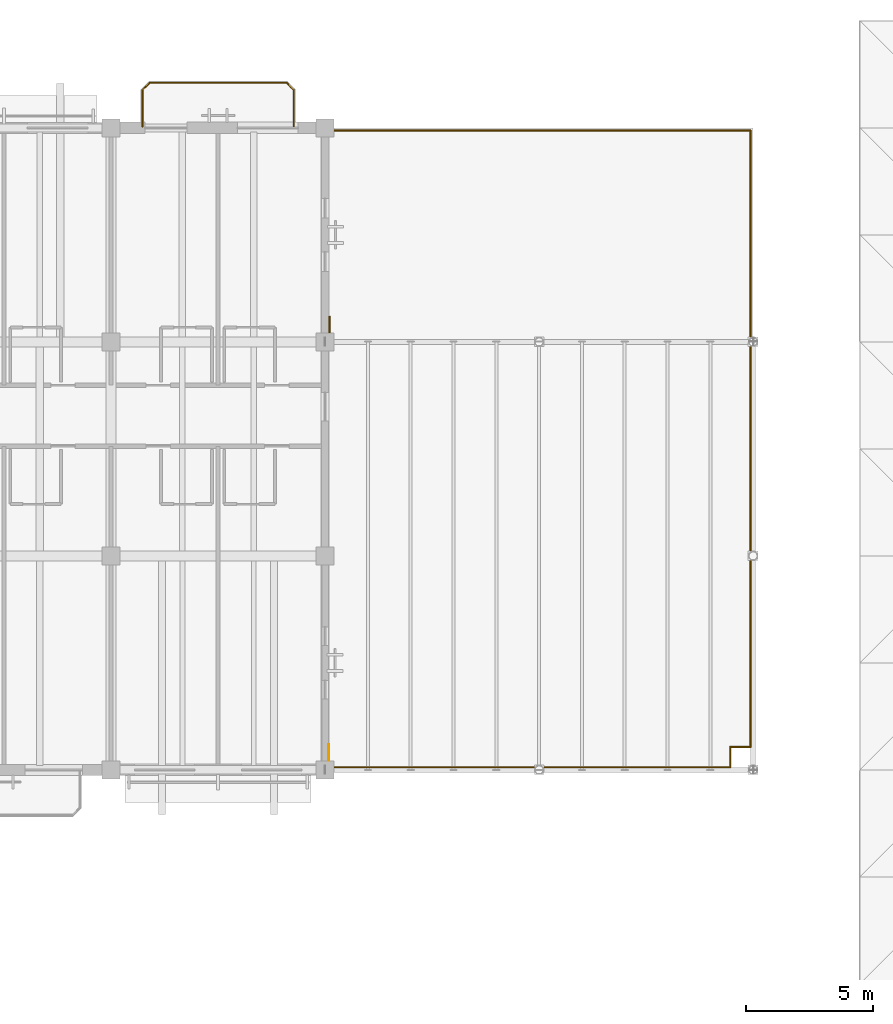
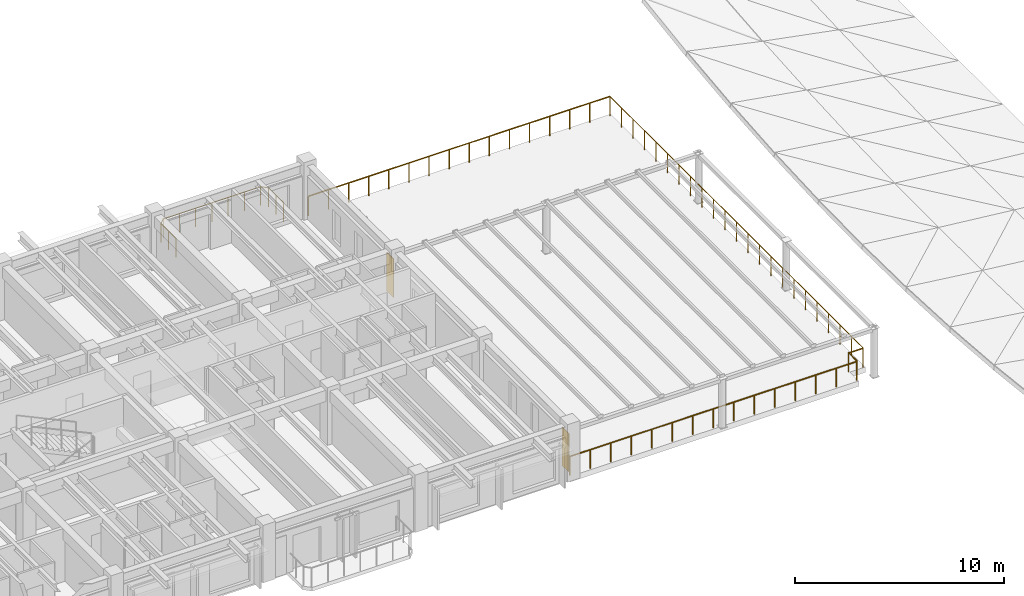
# One storey, part 93 of 93: 6 railings, 2 coverings.
"""IFC4 building model written with IfcOpenShell, lengths in metres."""

import ifcopenshell
import ifcopenshell.guid

model = None  # the IFC model being written
_history = None  # IfcOwnerHistory: only IFC2X3 demands one
_inside = {}  # id of a spatial element -> (the spatial element, [elements in it])
_under = {}  # id of a project, library or spatial element -> (it, [spatial elements below it])
_declared = {}  # id of a project -> (the project, [libraries it declares])
_typed = {}  # id of a type object -> (the type object, [elements of that type])
_made_of = {}  # id of a material, layer set ... -> (it, [elements and type objects made of it])


def new_model(schema):
    """Start an empty IFC model of exactly this schema.

    Asked for "IFC4X3", IfcOpenShell would pick the latest addendum, in which some entities
    have other attributes; the version numbers below select the first issue.
    IFC2X3 requires an IfcOwnerHistory on every rooted entity: one is made here for all.
    """
    global model, _history
    if schema == "IFC4X3":
        model = ifcopenshell.file(schema_version=(4, 3, 0, 0))
    else:
        model = ifcopenshell.file(schema=schema)
    _inside.clear()
    _under.clear()
    _declared.clear()
    _typed.clear()
    _made_of.clear()
    _history = None
    if model.schema == "IFC2X3":
        org = make("IfcOrganization", Name="unknown")
        user = make(
            "IfcPersonAndOrganization",
            ThePerson=make("IfcPerson", FamilyName="unknown"),
            TheOrganization=org,
        )
        app = make(
            "IfcApplication",
            ApplicationDeveloper=org,
            Version="unknown",
            ApplicationFullName="unknown",
            ApplicationIdentifier="unknown",
        )
        _history = make(
            "IfcOwnerHistory",
            OwningUser=user,
            OwningApplication=app,
            ChangeAction="ADDED",
            CreationDate=0,
        )
    return model


def make(cls, **values):
    """One entity of the class cls with the attributes given. An attribute that is None is left unset."""
    return model.create_entity(
        cls, **{name: value for name, value in values.items() if value is not None}
    )


def rooted(cls, **values):
    """An entity with a GlobalId (a new one), such as an element, a storey or a relation."""
    return make(cls, GlobalId=ifcopenshell.guid.new(), OwnerHistory=_history, **values)


def si_unit(unit_type, name, prefix=None):
    """IfcSIUnit, for example si_unit("LENGTHUNIT", "METRE", prefix="MILLI")."""
    return make("IfcSIUnit", UnitType=unit_type, Prefix=prefix, Name=name)


def assignment(units):
    """IfcUnitAssignment: the units of a project."""
    return None if units is None else make("IfcUnitAssignment", Units=units)


def point(xyz):
    """IfcCartesianPoint."""
    return None if xyz is None else make("IfcCartesianPoint", Coordinates=xyz)


def direction(xyz):
    """IfcDirection."""
    return None if xyz is None else make("IfcDirection", DirectionRatios=xyz)


def frame(location, z_axis=None, x_axis=None):
    """IfcAxis2Placement3D, a coordinate frame: its origin and axes. An axis left out is left unset."""
    return make(
        "IfcAxis2Placement3D",
        Location=point(location),
        Axis=direction(z_axis),
        RefDirection=direction(x_axis),
    )


def frame_2d(location, x_axis=None):
    """IfcAxis2Placement2D, a coordinate frame in the plane: its origin and x axis."""
    return make(
        "IfcAxis2Placement2D", Location=point(location), RefDirection=direction(x_axis)
    )


def origin():
    """The frame at (0, 0, 0) with its axes left unset."""
    return frame((0.0, 0.0, 0.0))


def origin_2d():
    """The frame at (0, 0) in the plane with its x axis left unset."""
    return frame_2d((0.0, 0.0))


def place(relative_to, where):
    """IfcLocalPlacement: puts the frame where relative to a parent placement (None: the world)."""
    return make(
        "IfcLocalPlacement", PlacementRelTo=relative_to, RelativePlacement=where
    )


def context(
    kind, dimensions, precision=None, world=None, true_north=None, identifier=None
):
    """IfcGeometricRepresentationContext, for example the 3D "Model" context."""
    return make(
        "IfcGeometricRepresentationContext",
        ContextIdentifier=identifier,
        ContextType=kind,
        CoordinateSpaceDimension=dimensions,
        Precision=precision,
        WorldCoordinateSystem=world,
        TrueNorth=true_north,
    )


def subcontext(parent, identifier, kind, view, scale=None):
    """IfcGeometricRepresentationSubContext, for example "Body" below "Model"."""
    return make(
        "IfcGeometricRepresentationSubContext",
        ContextIdentifier=identifier,
        ContextType=kind,
        ParentContext=parent,
        TargetScale=scale,
        TargetView=view,
    )


def project(units=None, contexts=None):
    """IfcProject with its units and contexts."""
    return rooted(
        "IfcProject",
        Name="project",
        RepresentationContexts=contexts,
        UnitsInContext=assignment(units),
    )


def spatial(cls, under=None, at=None, **own):
    """A site, building, storey or space (cls), placed at a placement, below another one or the project."""
    s = rooted(cls, ObjectPlacement=at, **own)
    if under is not None:
        _under.setdefault(under.id(), (under, []))[1].append(s)
    return s


def polyline(points):
    """IfcPolyline through the points."""
    return make("IfcPolyline", Points=[point(p) for p in points])


def profile(cls, at=None, kind="AREA", **sizes):
    """A parametric profile (cls). Its sizes go by their IFC names, for example OverallWidth=200.0."""
    return make(cls, ProfileType=kind, Position=at, **sizes)


def circle(**sizes):
    """IfcCircleProfileDef."""
    return profile("IfcCircleProfileDef", **sizes)


def outline(outer, holes=None, kind="AREA"):
    """IfcArbitraryClosedProfileDef: a profile drawn as a closed curve; with holes, ...WithVoids."""
    if holes is None:
        return make("IfcArbitraryClosedProfileDef", ProfileType=kind, OuterCurve=outer)
    return make(
        "IfcArbitraryProfileDefWithVoids",
        ProfileType=kind,
        OuterCurve=outer,
        InnerCurves=holes,
    )


def extrude(swept, where, along, depth):
    """IfcExtrudedAreaSolid: the profile swept, set in the frame where, extruded along a direction by depth."""
    return make(
        "IfcExtrudedAreaSolid",
        SweptArea=swept,
        Position=where,
        ExtrudedDirection=direction(along),
        Depth=depth,
    )


def shape(context_of_items, identifier, shape_type, items):
    """IfcShapeRepresentation: the items that make up one representation, for example the "Body"."""
    return make(
        "IfcShapeRepresentation",
        ContextOfItems=context_of_items,
        RepresentationIdentifier=identifier,
        RepresentationType=shape_type,
        Items=items,
    )


def material(Name=None, Category=None):
    """IfcMaterial."""
    return make("IfcMaterial", Name=Name, Category=Category)


def layer(
    of_material, thickness, ventilated=None, Name=None, Category=None, Priority=None
):
    """IfcMaterialLayer: one layer of a wall or slab, of a material (None: an air gap)."""
    return make(
        "IfcMaterialLayer",
        Material=of_material,
        LayerThickness=thickness,
        IsVentilated=ventilated,
        Name=Name,
        Category=Category,
        Priority=Priority,
    )


def layer_set(layers, Name=None):
    """IfcMaterialLayerSet."""
    return make("IfcMaterialLayerSet", MaterialLayers=layers, LayerSetName=Name)


def made_of(thing, what):
    """Note that an element or type object is made of a material, layer set ...; save() writes the relation."""
    if what is not None:
        _made_of.setdefault(what.id(), (what, []))[1].append(thing)
    return thing


def type_object(cls, material=None, **own):
    """A type object (cls), such as IfcWallType, which elements share."""
    return made_of(rooted(cls, **own), material)


def element(
    cls,
    number,
    at=None,
    inside=None,
    cuts=None,
    type_object=None,
    material=None,
    context=None,
    identifier="Body",
    shape_type=None,
    held_by="IfcProductDefinitionShape",
    body=None,
    shapes=None,
    **own,
):
    """One element of the class cls, such as IfcWall. Its Tag is "e" and its number.

    at: its placement. inside: the storey or other place that contains it. cuts: it is an
    opening in that element (IfcRelVoidsElement). A single representation is given by context,
    identifier, shape_type and body (its items); several are given by shapes. held_by: the class
    of the entity that holds the representations. save() writes the other relations.
    """
    e = rooted(cls, Tag="e%d" % number, ObjectPlacement=at, **own)
    if body is not None:
        shapes = [shape(context, identifier, shape_type, body)]
    if shapes is not None:
        e.Representation = make(held_by, Representations=shapes)
    if inside is not None:
        _inside.setdefault(inside.id(), (inside, []))[1].append(e)
    if cuts is not None:
        rooted(
            "IfcRelVoidsElement", RelatingBuildingElement=cuts, RelatedOpeningElement=e
        )
    if type_object is not None:
        _typed.setdefault(type_object.id(), (type_object, []))[1].append(e)
    return made_of(e, material)


def aggregate(whole, parts):
    """IfcRelAggregates: a whole, such as a stair, and the parts it consists of."""
    return rooted("IfcRelAggregates", RelatingObject=whole, RelatedObjects=parts)


def save(model, path):
    """Write the relations noted so far, then the file.

    IfcRelAggregates (storeys below a building ...), IfcRelContainedInSpatialStructure (elements
    in a storey), IfcRelDefinesByType, IfcRelAssociatesMaterial and IfcRelDeclares: one each for
    every whole, place, type object, material and project.
    """
    for whole, parts in _under.values():
        aggregate(whole, parts)
    for where, things in _inside.values():
        rooted(
            "IfcRelContainedInSpatialStructure",
            RelatedElements=things,
            RelatingStructure=where,
        )
    for kind, things in _typed.values():
        rooted("IfcRelDefinesByType", RelatedObjects=things, RelatingType=kind)
    for what, things in _made_of.values():
        rooted("IfcRelAssociatesMaterial", RelatedObjects=things, RelatingMaterial=what)
    for by, libraries in _declared.values():
        rooted("IfcRelDeclares", RelatingContext=by, RelatedDefinitions=libraries)
    model.write(path)


model = new_model("IFC4")

# Units and contexts
model_context = context("Model", 3, precision=1e-05, world=origin(), true_north=direction((0.0, 1.0)))
body_context = subcontext(model_context, "Body", "Model", "MODEL_VIEW")
ifc_project = project(units=[si_unit("LENGTHUNIT", "METRE"), si_unit("AREAUNIT", "SQUARE_METRE"), si_unit("VOLUMEUNIT", "CUBIC_METRE"), si_unit("PLANEANGLEUNIT", "RADIAN"), si_unit("MASSUNIT", "GRAM", prefix="KILO")], contexts=[model_context])

# Site, building, storey
site_placement = place(None, origin())
site = spatial("IfcSite", under=ifc_project, at=site_placement, CompositionType="ELEMENT")
building_placement = place(site_placement, origin())
building = spatial("IfcBuilding", under=site, at=building_placement, Name="Cumbredor Promenade Congress Hotel", CompositionType="ELEMENT")
storey_placement = place(building_placement, frame((0.0, 0.0, 21.840087890625)))
storey = spatial("IfcBuildingStorey", under=building, at=storey_placement, Name="L06", CompositionType="ELEMENT", Elevation=21.840087890625)

# Covering
ifc_material_1 = material(Name="Precast concrete C40/50", Category="concrete")
ifc_layer_1 = layer(ifc_material_1, 0.044921875, Name="Precast concrete C40/50", Category="concrete")
ifc_layer_set_1 = layer_set([ifc_layer_1], Name="Precast concrete C40/50")
covering_type_1 = type_object("IfcCoveringType", Name="Board-Formed Architectural Cladding Panel 45mm", PredefinedType="CLADDING", material=ifc_layer_set_1)
covering_1_placement = place(storey_placement, origin())
element("IfcCovering", 1, at=covering_1_placement, inside=storey, type_object=covering_type_1, Name="L06 Facade Stone Cladding Pier 220", PredefinedType="CLADDING", context=body_context, shape_type="SweptSolid", body=[
    extrude(outline(polyline([(67.35009765625, 109.551025390625), (67.35009765625, 110.200927734375), (67.39501953125, 110.200927734375), (67.39501953125, 109.551025390625), (67.35009765625, 109.551025390625)])), origin(), (0.0, 0.0, 1.0), 2.25),
])

# Railings
ifc_material_2 = material(Name="Brushed stainless steel", Category="steel")
railing_type_1 = type_object("IfcRailingType", Name="Sky Garden Glass-and-Steel Balustrade BAL-1150", PredefinedType="BALUSTRADE", material=ifc_material_2)
railing_1_placement = place(storey_placement, frame((83.89990234375, 93.300048828125, 0.0)))
element("IfcRailing", 2, at=railing_1_placement, inside=storey, type_object=railing_type_1, Name="L06 Hotel Step 2 East Botanical Sky Terrace Balustrade 66", PredefinedType="BALUSTRADE", context=body_context, shape_type="SweptSolid", body=[
    extrude(circle(Radius=0.02392578125, at=origin_2d()), frame((0.0, 0.0, 1.1259765625), z_axis=(0.0, 1.0, 0.0), x_axis=(-1.0, 0.0, 0.0)), (0.0, 0.0, 1.0), 24.199951171875),
    extrude(circle(Radius=0.02099609375, at=origin_2d()), origin(), (0.0, 0.0, 1.0), 1.101806640625),
    extrude(circle(Radius=0.02099609375, at=origin_2d()), frame((0.0, 1.10009765625, 0.0)), (0.0, 0.0, 1.0), 1.101806640625),
    extrude(circle(Radius=0.02099609375, at=origin_2d()), frame((0.0, 2.199951171875, 0.0)), (0.0, 0.0, 1.0), 1.101806640625),
    extrude(circle(Radius=0.02099609375, at=origin_2d()), frame((0.0, 3.300048828125, 0.0)), (0.0, 0.0, 1.0), 1.101806640625),
    extrude(circle(Radius=0.02099609375, at=origin_2d()), frame((0.0, 4.39990234375, 0.0)), (0.0, 0.0, 1.0), 1.101806640625),
    extrude(circle(Radius=0.02099609375, at=origin_2d()), frame((0.0, 5.5, 0.0)), (0.0, 0.0, 1.0), 1.101806640625),
    extrude(circle(Radius=0.02099609375, at=origin_2d()), frame((0.0, 6.60009765625, 0.0)), (0.0, 0.0, 1.0), 1.101806640625),
    extrude(circle(Radius=0.02099609375, at=origin_2d()), frame((0.0, 7.699951171875, 0.0)), (0.0, 0.0, 1.0), 1.101806640625),
    extrude(circle(Radius=0.02099609375, at=origin_2d()), frame((0.0, 8.800048828125, 0.0)), (0.0, 0.0, 1.0), 1.101806640625),
    extrude(circle(Radius=0.02099609375, at=origin_2d()), frame((0.0, 9.89990234375, 0.0)), (0.0, 0.0, 1.0), 1.101806640625),
    extrude(circle(Radius=0.02099609375, at=origin_2d()), frame((0.0, 11.0, 0.0)), (0.0, 0.0, 1.0), 1.101806640625),
    extrude(circle(Radius=0.02099609375, at=origin_2d()), frame((0.0, 12.10009765625, 0.0)), (0.0, 0.0, 1.0), 1.101806640625),
    extrude(circle(Radius=0.02099609375, at=origin_2d()), frame((0.0, 13.199951171875, 0.0)), (0.0, 0.0, 1.0), 1.101806640625),
    extrude(circle(Radius=0.02099609375, at=origin_2d()), frame((0.0, 14.300048828125, 0.0)), (0.0, 0.0, 1.0), 1.101806640625),
    extrude(circle(Radius=0.02099609375, at=origin_2d()), frame((0.0, 15.39990234375, 0.0)), (0.0, 0.0, 1.0), 1.101806640625),
    extrude(circle(Radius=0.02099609375, at=origin_2d()), frame((0.0, 16.5, 0.0)), (0.0, 0.0, 1.0), 1.101806640625),
    extrude(circle(Radius=0.02099609375, at=origin_2d()), frame((0.0, 17.599853515625, 0.0)), (0.0, 0.0, 1.0), 1.101806640625),
    extrude(circle(Radius=0.02099609375, at=origin_2d()), frame((0.0, 18.699951171875, 0.0)), (0.0, 0.0, 1.0), 1.101806640625),
    extrude(circle(Radius=0.02099609375, at=origin_2d()), frame((0.0, 19.800048828125, 0.0)), (0.0, 0.0, 1.0), 1.101806640625),
    extrude(circle(Radius=0.02099609375, at=origin_2d()), frame((0.0, 20.89990234375, 0.0)), (0.0, 0.0, 1.0), 1.101806640625),
    extrude(circle(Radius=0.02099609375, at=origin_2d()), frame((0.0, 22.0, 0.0)), (0.0, 0.0, 1.0), 1.101806640625),
    extrude(circle(Radius=0.02099609375, at=origin_2d()), frame((0.0, 23.099853515625, 0.0)), (0.0, 0.0, 1.0), 1.101806640625),
    extrude(circle(Radius=0.02099609375, at=origin_2d()), frame((0.0, 24.199951171875, 0.0)), (0.0, 0.0, 1.0), 1.101806640625),
])
railing_2_placement = place(storey_placement, frame((83.10009765625, 92.5, 0.0)))
element("IfcRailing", 3, at=railing_2_placement, inside=storey, type_object=railing_type_1, Name="L06 Hotel Step 2 East Botanical Sky Terrace Balustrade 68", PredefinedType="BALUSTRADE", context=body_context, shape_type="SweptSolid", body=[
    extrude(circle(Radius=0.02392578125, at=origin_2d()), frame((0.0, 0.0, 1.1259765625), z_axis=(0.0, 1.0, 0.0), x_axis=(-1.0, 0.0, 0.0)), (0.0, 0.0, 1.0), 0.800048828125),
    extrude(circle(Radius=0.02099609375, at=origin_2d()), origin(), (0.0, 0.0, 1.0), 1.101806640625),
    extrude(circle(Radius=0.02099609375, at=origin_2d()), frame((0.0, 0.800048828125, 0.0)), (0.0, 0.0, 1.0), 1.101806640625),
])
railing_3_placement = place(storey_placement, frame((67.25, 117.5, 0.0)))
element("IfcRailing", 4, at=railing_3_placement, inside=storey, type_object=railing_type_1, Name="L06 Hotel Step 2 East Botanical Sky Terrace Balustrade 70", PredefinedType="BALUSTRADE", context=body_context, shape_type="SweptSolid", body=[
    extrude(circle(Radius=0.02392578125, at=origin_2d()), frame((0.0, 0.0, 1.1259765625), z_axis=(1.0, 0.0, 0.0), x_axis=(0.0, 1.0, 0.0)), (0.0, 0.0, 1.0), 16.64990234375),
    extrude(circle(Radius=0.02099609375, at=origin_2d()), origin(), (0.0, 0.0, 1.0), 1.101806640625),
    extrude(circle(Radius=0.02099609375, at=origin_2d()), frame((1.110107421875, 0.0, 0.0)), (0.0, 0.0, 1.0), 1.101806640625),
    extrude(circle(Radius=0.02099609375, at=origin_2d()), frame((2.219970703125, 0.0, 0.0)), (0.0, 0.0, 1.0), 1.101806640625),
    extrude(circle(Radius=0.02099609375, at=origin_2d()), frame((3.330078125, 0.0, 0.0)), (0.0, 0.0, 1.0), 1.101806640625),
    extrude(circle(Radius=0.02099609375, at=origin_2d()), frame((4.43994140625, 0.0, 0.0)), (0.0, 0.0, 1.0), 1.101806640625),
    extrude(circle(Radius=0.02099609375, at=origin_2d()), frame((5.550048828125, 0.0, 0.0)), (0.0, 0.0, 1.0), 1.101806640625),
    extrude(circle(Radius=0.02099609375, at=origin_2d()), frame((6.659912109375, 0.0, 0.0)), (0.0, 0.0, 1.0), 1.101806640625),
    extrude(circle(Radius=0.02099609375, at=origin_2d()), frame((7.77001953125, 0.0, 0.0)), (0.0, 0.0, 1.0), 1.101806640625),
    extrude(circle(Radius=0.02099609375, at=origin_2d()), frame((8.8798828125, 0.0, 0.0)), (0.0, 0.0, 1.0), 1.101806640625),
    extrude(circle(Radius=0.02099609375, at=origin_2d()), frame((9.989990234375, 0.0, 0.0)), (0.0, 0.0, 1.0), 1.101806640625),
    extrude(circle(Radius=0.02099609375, at=origin_2d()), frame((11.099853515625, 0.0, 0.0)), (0.0, 0.0, 1.0), 1.101806640625),
    extrude(circle(Radius=0.02099609375, at=origin_2d()), frame((12.2099609375, 0.0, 0.0)), (0.0, 0.0, 1.0), 1.101806640625),
    extrude(circle(Radius=0.02099609375, at=origin_2d()), frame((13.31982421875, 0.0, 0.0)), (0.0, 0.0, 1.0), 1.101806640625),
    extrude(circle(Radius=0.02099609375, at=origin_2d()), frame((14.429931640625, 0.0, 0.0)), (0.0, 0.0, 1.0), 1.101806640625),
    extrude(circle(Radius=0.02099609375, at=origin_2d()), frame((15.539794921875, 0.0, 0.0)), (0.0, 0.0, 1.0), 1.101806640625),
    extrude(circle(Radius=0.02099609375, at=origin_2d()), frame((16.64990234375, 0.0, 0.0)), (0.0, 0.0, 1.0), 1.101806640625),
])
railing_type_2 = type_object("IfcRailingType", Name="Terrace Perimeter Balustrade BAL-1120", PredefinedType="BALUSTRADE", material=ifc_material_2)
railing_4_placement = place(storey_placement, frame((60.030029296875, 117.64990234375, 0.0)))
element("IfcRailing", 5, at=railing_4_placement, inside=storey, type_object=railing_type_2, Name="L06 Veranda Balcony Balustrade 037", PredefinedType="BALUSTRADE", context=body_context, shape_type="SweptSolid", body=[
    extrude(circle(Radius=0.02392578125, at=origin_2d()), frame((0.0, 0.0, 1.09619140625), z_axis=(0.0, 1.0, 0.0), x_axis=(-1.0, 0.0, 0.0)), (0.0, 0.0, 1.0), 1.440185546875),
    extrude(circle(Radius=0.02392578125, at=origin_2d()), frame((0.0, 1.440185546875, 1.09619140625), z_axis=(0.707106781187, 0.707106781187, 0.0), x_axis=(-0.707106781187, 0.707106781187, 0.0)), (0.0, 0.0, 1.0), 0.39599609375),
    extrude(circle(Radius=0.02392578125, at=origin_2d()), frame((0.280029296875, 1.72021484375, 1.09619140625), z_axis=(1.0, 0.0, 0.0), x_axis=(0.0, 1.0, 0.0)), (0.0, 0.0, 1.0), 5.3798828125),
    extrude(circle(Radius=0.02392578125, at=origin_2d()), frame((5.659912109375, 1.72021484375, 1.09619140625), z_axis=(0.707106781187, -0.707106781187, 0.0), x_axis=(0.707106781187, 0.707106781187, 0.0)), (0.0, 0.0, 1.0), 0.39599609375),
    extrude(circle(Radius=0.02392578125, at=origin_2d()), frame((5.93994140625, 1.440185546875, 1.09619140625), z_axis=(0.0, -1.0, 0.0), x_axis=(1.0, 0.0, 0.0)), (0.0, 0.0, 1.0), 1.440185546875),
    extrude(circle(Radius=0.02099609375, at=origin_2d()), origin(), (0.0, 0.0, 1.0), 1.072021484375),
    extrude(circle(Radius=0.02099609375, at=origin_2d()), frame((0.0, 0.72021484375, 0.0)), (0.0, 0.0, 1.0), 1.072021484375),
    extrude(circle(Radius=0.02099609375, at=origin_2d()), frame((0.0, 1.440185546875, 0.0)), (0.0, 0.0, 1.0), 1.072021484375),
    extrude(circle(Radius=0.02099609375, at=origin_2d()), frame((0.280029296875, 1.72021484375, 0.0)), (0.0, 0.0, 1.0), 1.072021484375),
    extrude(circle(Radius=0.02099609375, at=origin_2d()), frame((1.1767578125, 1.72021484375, 0.0)), (0.0, 0.0, 1.0), 1.072021484375),
    extrude(circle(Radius=0.02099609375, at=origin_2d()), frame((2.0732421875, 1.72021484375, 0.0)), (0.0, 0.0, 1.0), 1.072021484375),
    extrude(circle(Radius=0.02099609375, at=origin_2d()), frame((2.969970703125, 1.72021484375, 0.0)), (0.0, 0.0, 1.0), 1.072021484375),
    extrude(circle(Radius=0.02099609375, at=origin_2d()), frame((3.86669921875, 1.72021484375, 0.0)), (0.0, 0.0, 1.0), 1.072021484375),
    extrude(circle(Radius=0.02099609375, at=origin_2d()), frame((4.76318359375, 1.72021484375, 0.0)), (0.0, 0.0, 1.0), 1.072021484375),
    extrude(circle(Radius=0.02099609375, at=origin_2d()), frame((5.659912109375, 1.72021484375, 0.0)), (0.0, 0.0, 1.0), 1.072021484375),
    extrude(circle(Radius=0.02099609375, at=origin_2d()), frame((5.93994140625, 1.440185546875, 0.0)), (0.0, 0.0, 1.0), 1.072021484375),
    extrude(circle(Radius=0.02099609375, at=origin_2d()), frame((5.93994140625, 0.72021484375, 0.0)), (0.0, 0.0, 1.0), 1.072021484375),
    extrude(circle(Radius=0.02099609375, at=origin_2d()), frame((5.93994140625, 0.0, 0.0)), (0.0, 0.0, 1.0), 1.072021484375),
])
railing_5_placement = place(storey_placement, frame((67.25, 92.5, 0.0)))
element("IfcRailing", 6, at=railing_5_placement, inside=storey, type_object=railing_type_2, Name="L06 Hotel Step 2 East Botanical Sky Terrace Balustrade 67", PredefinedType="BALUSTRADE", context=body_context, shape_type="SweptSolid", body=[
    extrude(circle(Radius=0.02392578125, at=origin_2d()), frame((0.0, 0.0, 1.09619140625), z_axis=(1.0, 0.0, 0.0), x_axis=(0.0, 1.0, 0.0)), (0.0, 0.0, 1.0), 15.85009765625),
    extrude(circle(Radius=0.02099609375, at=origin_2d()), origin(), (0.0, 0.0, 1.0), 1.072021484375),
    extrude(circle(Radius=0.02099609375, at=origin_2d()), frame((1.132080078125, 0.0, 0.0)), (0.0, 0.0, 1.0), 1.072021484375),
    extrude(circle(Radius=0.02099609375, at=origin_2d()), frame((2.264404296875, 0.0, 0.0)), (0.0, 0.0, 1.0), 1.072021484375),
    extrude(circle(Radius=0.02099609375, at=origin_2d()), frame((3.396484375, 0.0, 0.0)), (0.0, 0.0, 1.0), 1.072021484375),
    extrude(circle(Radius=0.02099609375, at=origin_2d()), frame((4.528564453125, 0.0, 0.0)), (0.0, 0.0, 1.0), 1.072021484375),
    extrude(circle(Radius=0.02099609375, at=origin_2d()), frame((5.66064453125, 0.0, 0.0)), (0.0, 0.0, 1.0), 1.072021484375),
    extrude(circle(Radius=0.02099609375, at=origin_2d()), frame((6.79296875, 0.0, 0.0)), (0.0, 0.0, 1.0), 1.072021484375),
    extrude(circle(Radius=0.02099609375, at=origin_2d()), frame((7.925048828125, 0.0, 0.0)), (0.0, 0.0, 1.0), 1.072021484375),
    extrude(circle(Radius=0.02099609375, at=origin_2d()), frame((9.05712890625, 0.0, 0.0)), (0.0, 0.0, 1.0), 1.072021484375),
    extrude(circle(Radius=0.02099609375, at=origin_2d()), frame((10.189453125, 0.0, 0.0)), (0.0, 0.0, 1.0), 1.072021484375),
    extrude(circle(Radius=0.02099609375, at=origin_2d()), frame((11.321533203125, 0.0, 0.0)), (0.0, 0.0, 1.0), 1.072021484375),
    extrude(circle(Radius=0.02099609375, at=origin_2d()), frame((12.45361328125, 0.0, 0.0)), (0.0, 0.0, 1.0), 1.072021484375),
    extrude(circle(Radius=0.02099609375, at=origin_2d()), frame((13.585693359375, 0.0, 0.0)), (0.0, 0.0, 1.0), 1.072021484375),
    extrude(circle(Radius=0.02099609375, at=origin_2d()), frame((14.718017578125, 0.0, 0.0)), (0.0, 0.0, 1.0), 1.072021484375),
    extrude(circle(Radius=0.02099609375, at=origin_2d()), frame((15.85009765625, 0.0, 0.0)), (0.0, 0.0, 1.0), 1.072021484375),
])
railing_6_placement = place(storey_placement, frame((83.10009765625, 93.300048828125, 0.0)))
element("IfcRailing", 7, at=railing_6_placement, inside=storey, type_object=railing_type_2, Name="L06 Hotel Step 2 East Botanical Sky Terrace Balustrade 69", PredefinedType="BALUSTRADE", context=body_context, shape_type="SweptSolid", body=[
    extrude(circle(Radius=0.02392578125, at=origin_2d()), frame((0.0, 0.0, 1.09619140625), z_axis=(1.0, 0.0, 0.0), x_axis=(0.0, 1.0, 0.0)), (0.0, 0.0, 1.0), 0.7998046875),
    extrude(circle(Radius=0.02099609375, at=origin_2d()), origin(), (0.0, 0.0, 1.0), 1.072021484375),
    extrude(circle(Radius=0.02099609375, at=origin_2d()), frame((0.7998046875, 0.0, 0.0)), (0.0, 0.0, 1.0), 1.072021484375),
])

# Covering
ifc_material_3 = material(Name="Volcanic andesite ashlar cladding", Category="masonry")
ifc_layer_2 = layer(ifc_material_3, 0.034912109375, Name="Volcanic andesite ashlar cladding", Category="masonry")
ifc_layer_set_2 = layer_set([ifc_layer_2], Name="Volcanic andesite ashlar cladding")
covering_type_2 = type_object("IfcCoveringType", Name="Volcanic Andesite Ashlar Rainscreen Cladding 35mm", PredefinedType="CLADDING", material=ifc_layer_set_2)
covering_2_placement = place(storey_placement, origin())
element("IfcCovering", 8, at=covering_2_placement, inside=storey, type_object=covering_type_2, Name="L06 Facade Stone Cladding Pier 219", PredefinedType="CLADDING", context=body_context, shape_type="SweptSolid", body=[
    extrude(outline(polyline([(67.330078125, 92.7509765625), (67.330078125, 93.40087890625), (67.364990234375, 93.40087890625), (67.364990234375, 92.7509765625), (67.330078125, 92.7509765625)])), origin(), (0.0, 0.0, 1.0), 2.25),
])

save(model, "model.ifc")
